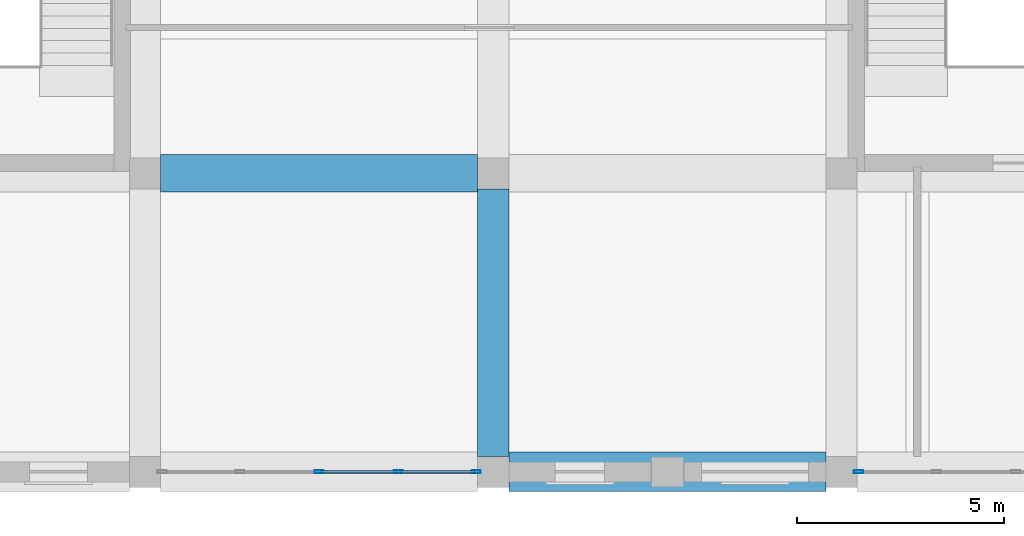
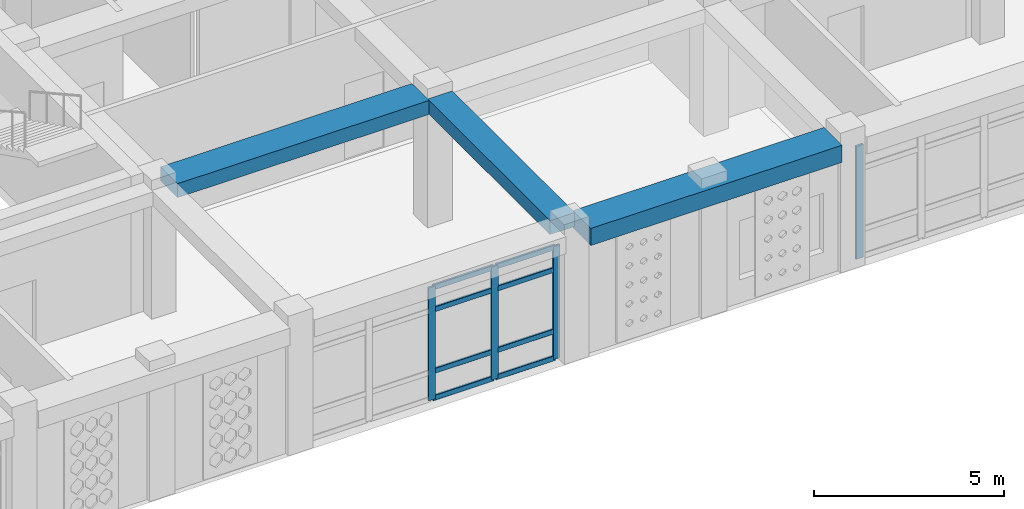
# One storey, part 30 of 121: 12 members, 3 beams, 2 elements without a shape of their own.
"""IFC4 building model written with IfcOpenShell, lengths in metres."""

from ifc_helpers import new_model, si_unit, derived_unit, direction, frame, origin, origin_2d, place, context, subcontext, project, spatial, rectangle, hollow_rectangle, extrude, material, material_profile, profile_set, type_object, element, aggregate, save


model = new_model("IFC4")

# Units and contexts
model_context = context("Model", 3, precision=1e-05, world=origin(), true_north=direction((0.0, 1.0)))
body_context = subcontext(model_context, "Body", "Model", "MODEL_VIEW")
ifc_project = project(units=[si_unit("LENGTHUNIT", "METRE"), si_unit("AREAUNIT", "SQUARE_METRE"), si_unit("VOLUMEUNIT", "CUBIC_METRE"), si_unit("PLANEANGLEUNIT", "RADIAN"), si_unit("MASSUNIT", "GRAM", prefix="KILO"), derived_unit("THERMALTRANSMITTANCEUNIT", [(si_unit("POWERUNIT", "WATT"), 1), (si_unit("LENGTHUNIT", "METRE"), -2), (si_unit("THERMODYNAMICTEMPERATUREUNIT", "KELVIN"), -1)])], contexts=[model_context])

# Site, building, storey
site_placement = place(None, origin())
site = spatial("IfcSite", under=ifc_project, at=site_placement, CompositionType="ELEMENT")
building_placement = place(site_placement, origin())
building = spatial("IfcBuilding", under=site, at=building_placement, Name="Veybourne Emporium", CompositionType="ELEMENT")
storey_placement = place(building_placement, frame((0.0, 0.0, 5.39990234375)))
storey = spatial("IfcBuildingStorey", under=building, at=storey_placement, Name="L01", CompositionType="ELEMENT", Elevation=5.39990234375)

# Curtain wall, member
ifc_material_1 = material(Name="Patinated Architectural Bronze", Category="bronze")
curtain_wall_type_1 = type_object("IfcCurtainWallType", Name="CWSystem_CWS-26", PredefinedType="NOTDEFINED", material=ifc_material_1)
curtain_wall_1_placement = place(storey_placement, origin())
curtain_wall_1 = element("IfcCurtainWall", 1, at=curtain_wall_1_placement, inside=storey, type_object=curtain_wall_type_1, Name="L01 bronze glazed curtain wall CWS-26 (067)", PredefinedType="NOTDEFINED")
ifc_material_profile_1 = material_profile(ifc_material_1, hollow_rectangle(XDim=0.074951171875, YDim=0.22998046875, WallThickness=0.0048828125, InnerFilletRadius=0.007568359375, OuterFilletRadius=0.012451171875, at=origin_2d()), Name="CWM 75x230x5")
ifc_profile_set_1 = profile_set([ifc_material_profile_1], Name="Patinated Architectural Bronze")
member_type_1 = type_object("IfcMemberType", Name="CWMullion_CW-M2", PredefinedType="MULLION", material=ifc_profile_set_1)
member_1_placement = place(storey_placement, frame((126.41259765625, 0.0, 0.0), z_axis=(0.0, 0.0, 1.0), x_axis=(0.0, -1.0, 0.0)))
member_1 = element("IfcMember", 2, at=member_1_placement, type_object=member_type_1, Name="CWS-26 mullion 5", PredefinedType="MULLION", context=body_context, shape_type="SweptSolid", body=[
    extrude(hollow_rectangle(XDim=0.074951171875, YDim=0.22998046875, WallThickness=0.0048828125, InnerFilletRadius=0.007568359375, OuterFilletRadius=0.012451171875, at=origin_2d()), origin(), (0.0, 0.0, 1.0), 3.630126953125),
])
aggregate(curtain_wall_1, [member_1])

# Curtain wall, members
curtain_wall_type_2 = type_object("IfcCurtainWallType", Name="CWSystem_CWS-24", PredefinedType="NOTDEFINED", material=ifc_material_1)
curtain_wall_2_placement = place(storey_placement, origin())
curtain_wall_2 = element("IfcCurtainWall", 3, at=curtain_wall_2_placement, inside=storey, type_object=curtain_wall_type_2, Name="L01 bronze glazed curtain wall CWS-24 (063)", PredefinedType="NOTDEFINED")
ifc_material_profile_2 = material_profile(ifc_material_1, hollow_rectangle(XDim=0.070068359375, YDim=0.219970703125, WallThickness=0.0048828125, InnerFilletRadius=0.007568359375, OuterFilletRadius=0.012451171875, at=origin_2d()), Name="CWM 70x220x5")
ifc_profile_set_2 = profile_set([ifc_material_profile_2], Name="Patinated Architectural Bronze")
member_type_2 = type_object("IfcMemberType", Name="CWMullion_CW-M4", PredefinedType="MULLION", material=ifc_profile_set_2)
member_2_placement = place(storey_placement, frame((117.18994140625, 0.0, 0.0), z_axis=(0.0, 0.0, 1.0), x_axis=(0.0, -1.0, 0.0)))
member_2 = element("IfcMember", 4, at=member_2_placement, type_object=member_type_2, Name="CWS-24 mullion 1", PredefinedType="MULLION", context=body_context, shape_type="SweptSolid", body=[
    extrude(hollow_rectangle(XDim=0.070068359375, YDim=0.219970703125, WallThickness=0.0048828125, InnerFilletRadius=0.007568359375, OuterFilletRadius=0.012451171875, at=origin_2d()), origin(), (0.0, 0.0, 1.0), 3.630126953125),
])
member_3_placement = place(storey_placement, frame((115.3125, 0.0, 0.0), z_axis=(0.0, 0.0, 1.0), x_axis=(0.0, -1.0, 0.0)))
member_3 = element("IfcMember", 5, at=member_3_placement, type_object=member_type_2, Name="CWS-24 mullion 2", PredefinedType="MULLION", context=body_context, shape_type="SweptSolid", body=[
    extrude(hollow_rectangle(XDim=0.070068359375, YDim=0.219970703125, WallThickness=0.0048828125, InnerFilletRadius=0.007568359375, OuterFilletRadius=0.012451171875, at=origin_2d()), origin(), (0.0, 0.0, 1.0), 3.630126953125),
])
member_4_placement = place(storey_placement, frame((113.39990234375, 0.0, 0.0), z_axis=(0.0, 0.0, 1.0), x_axis=(0.0, -1.0, 0.0)))
member_4 = element("IfcMember", 6, at=member_4_placement, type_object=member_type_2, Name="CWS-24 mullion 3", PredefinedType="MULLION", context=body_context, shape_type="SweptSolid", body=[
    extrude(hollow_rectangle(XDim=0.070068359375, YDim=0.219970703125, WallThickness=0.0048828125, InnerFilletRadius=0.007568359375, OuterFilletRadius=0.012451171875, at=origin_2d()), origin(), (0.0, 0.0, 1.0), 3.630126953125),
])
ifc_material_profile_3 = material_profile(ifc_material_1, hollow_rectangle(XDim=0.070068359375, YDim=0.169921875, WallThickness=0.0048828125, InnerFilletRadius=0.007568359375, OuterFilletRadius=0.012451171875, at=origin_2d()), Name="CWT 70x170x5")
ifc_profile_set_3 = profile_set([ifc_material_profile_3], Name="Patinated Architectural Bronze")
member_type_3 = type_object("IfcMemberType", Name="CWTransom_CW-T4", PredefinedType="NOTDEFINED", material=ifc_profile_set_3)
member_5_placement = place(storey_placement, frame((117.155029296875, 0.0, 0.03515625), z_axis=(-1.0, 0.0, 0.0), x_axis=(0.0, -1.0, 0.0)))
member_5 = element("IfcMember", 7, at=member_5_placement, type_object=member_type_3, Name="CWS-24 transom 1.1", ObjectType="TRANSOM", PredefinedType="USERDEFINED", context=body_context, shape_type="SweptSolid", body=[
    extrude(hollow_rectangle(XDim=0.070068359375, YDim=0.169921875, WallThickness=0.0048828125, InnerFilletRadius=0.007568359375, OuterFilletRadius=0.012451171875, at=origin_2d()), origin(), (0.0, 0.0, 1.0), 1.8076171875),
])
member_6_placement = place(storey_placement, frame((117.155029296875, 0.0, 0.900146484375), z_axis=(-1.0, 0.0, 0.0), x_axis=(0.0, -1.0, 0.0)))
member_6 = element("IfcMember", 8, at=member_6_placement, type_object=member_type_3, Name="CWS-24 transom 1.2", ObjectType="TRANSOM", PredefinedType="USERDEFINED", context=body_context, shape_type="SweptSolid", body=[
    extrude(hollow_rectangle(XDim=0.070068359375, YDim=0.169921875, WallThickness=0.0048828125, InnerFilletRadius=0.007568359375, OuterFilletRadius=0.012451171875, at=origin_2d()), origin(), (0.0, 0.0, 1.0), 1.8076171875),
])
member_7_placement = place(storey_placement, frame((117.155029296875, 0.0, 2.880126953125), z_axis=(-1.0, 0.0, 0.0), x_axis=(0.0, -1.0, 0.0)))
member_7 = element("IfcMember", 9, at=member_7_placement, type_object=member_type_3, Name="CWS-24 transom 1.3", ObjectType="TRANSOM", PredefinedType="USERDEFINED", context=body_context, shape_type="SweptSolid", body=[
    extrude(hollow_rectangle(XDim=0.070068359375, YDim=0.169921875, WallThickness=0.0048828125, InnerFilletRadius=0.007568359375, OuterFilletRadius=0.012451171875, at=origin_2d()), origin(), (0.0, 0.0, 1.0), 1.8076171875),
])
member_8_placement = place(storey_placement, frame((117.155029296875, 0.0, 3.59521484375), z_axis=(-1.0, 0.0, 0.0), x_axis=(0.0, -1.0, 0.0)))
member_8 = element("IfcMember", 10, at=member_8_placement, type_object=member_type_3, Name="CWS-24 transom 1.4", ObjectType="TRANSOM", PredefinedType="USERDEFINED", context=body_context, shape_type="SweptSolid", body=[
    extrude(hollow_rectangle(XDim=0.070068359375, YDim=0.169921875, WallThickness=0.0048828125, InnerFilletRadius=0.007568359375, OuterFilletRadius=0.012451171875, at=origin_2d()), origin(), (0.0, 0.0, 1.0), 1.8076171875),
])
member_9_placement = place(storey_placement, frame((115.277587890625, 0.0, 0.03515625), z_axis=(-1.0, 0.0, 0.0), x_axis=(0.0, -1.0, 0.0)))
member_9 = element("IfcMember", 11, at=member_9_placement, type_object=member_type_3, Name="CWS-24 transom 2.1", ObjectType="TRANSOM", PredefinedType="USERDEFINED", context=body_context, shape_type="SweptSolid", body=[
    extrude(hollow_rectangle(XDim=0.070068359375, YDim=0.169921875, WallThickness=0.0048828125, InnerFilletRadius=0.007568359375, OuterFilletRadius=0.012451171875, at=origin_2d()), origin(), (0.0, 0.0, 1.0), 1.842529296875),
])
member_10_placement = place(storey_placement, frame((115.277587890625, 0.0, 0.900146484375), z_axis=(-1.0, 0.0, 0.0), x_axis=(0.0, -1.0, 0.0)))
member_10 = element("IfcMember", 12, at=member_10_placement, type_object=member_type_3, Name="CWS-24 transom 2.2", ObjectType="TRANSOM", PredefinedType="USERDEFINED", context=body_context, shape_type="SweptSolid", body=[
    extrude(hollow_rectangle(XDim=0.070068359375, YDim=0.169921875, WallThickness=0.0048828125, InnerFilletRadius=0.007568359375, OuterFilletRadius=0.012451171875, at=origin_2d()), origin(), (0.0, 0.0, 1.0), 1.842529296875),
])
member_11_placement = place(storey_placement, frame((115.277587890625, 0.0, 2.880126953125), z_axis=(-1.0, 0.0, 0.0), x_axis=(0.0, -1.0, 0.0)))
member_11 = element("IfcMember", 13, at=member_11_placement, type_object=member_type_3, Name="CWS-24 transom 2.3", ObjectType="TRANSOM", PredefinedType="USERDEFINED", context=body_context, shape_type="SweptSolid", body=[
    extrude(hollow_rectangle(XDim=0.070068359375, YDim=0.169921875, WallThickness=0.0048828125, InnerFilletRadius=0.007568359375, OuterFilletRadius=0.012451171875, at=origin_2d()), origin(), (0.0, 0.0, 1.0), 1.842529296875),
])
member_12_placement = place(storey_placement, frame((115.277587890625, 0.0, 3.59521484375), z_axis=(-1.0, 0.0, 0.0), x_axis=(0.0, -1.0, 0.0)))
member_12 = element("IfcMember", 14, at=member_12_placement, type_object=member_type_3, Name="CWS-24 transom 2.4", ObjectType="TRANSOM", PredefinedType="USERDEFINED", context=body_context, shape_type="SweptSolid", body=[
    extrude(hollow_rectangle(XDim=0.070068359375, YDim=0.169921875, WallThickness=0.0048828125, InnerFilletRadius=0.007568359375, OuterFilletRadius=0.012451171875, at=origin_2d()), origin(), (0.0, 0.0, 1.0), 1.842529296875),
])
aggregate(curtain_wall_2, [member_2, member_3, member_4, member_5, member_6, member_7, member_8, member_9, member_10, member_11, member_12])

# Beams
ifc_material_2 = material(Name="Concrete C32/40", Category="concrete")
ifc_material_profile_4 = material_profile(ifc_material_2, rectangle(XDim=0.89990234375, YDim=0.449951171875, at=origin_2d()), Name="RC 900x450")
ifc_profile_set_4 = profile_set([ifc_material_profile_4], Name="Concrete C32/40")
beam_type_1 = type_object("IfcBeamType", Name="RCBeam_BB-03", PredefinedType="BEAM", material=ifc_profile_set_4)
beam_1_placement = place(storey_placement, frame((109.574951171875, 7.199951171875, 3.955078125), z_axis=(1.0, 0.0, 0.0), x_axis=(0.0, 1.0, 0.0)))
element("IfcBeam", 15, at=beam_1_placement, inside=storey, type_object=beam_type_1, Name="L01 X-grid beam BB-03 (13,1)", PredefinedType="BEAM", context=body_context, shape_type="SweptSolid", body=[
    extrude(rectangle(XDim=0.89990234375, YDim=0.449951171875, at=origin_2d()), origin(), (0.0, 0.0, 1.0), 7.650146484375),
])
ifc_material_profile_5 = material_profile(ifc_material_2, rectangle(XDim=0.75, YDim=0.449951171875, at=origin_2d()), Name="RC 750x450")
ifc_profile_set_5 = profile_set([ifc_material_profile_5], Name="Concrete C32/40")
beam_type_2 = type_object("IfcBeamType", Name="RCBeam_BB-04", PredefinedType="BEAM", material=ifc_profile_set_5)
beam_2_placement = place(storey_placement, frame((117.60009765625, 0.375, 3.955078125), z_axis=(0.0, 1.0, 0.0), x_axis=(-1.0, 0.0, 0.0)))
element("IfcBeam", 16, at=beam_2_placement, inside=storey, type_object=beam_type_2, Name="L01 Y-grid beam BB-04 (14,0)", PredefinedType="BEAM", context=body_context, shape_type="SweptSolid", body=[
    extrude(rectangle(XDim=0.75, YDim=0.449951171875, at=origin_2d()), origin(), (0.0, 0.0, 1.0), 6.449951171875),
])
ifc_material_profile_6 = material_profile(ifc_material_2, rectangle(XDim=0.949951171875, YDim=0.550048828125, at=origin_2d()), Name="RC 950x550")
ifc_profile_set_6 = profile_set([ifc_material_profile_6], Name="Concrete C32/40")
beam_type_3 = type_object("IfcBeamType", Name="RCBeam_EB-01", PredefinedType="SPANDREL", material=ifc_profile_set_6)
beam_3_placement = place(storey_placement, frame((117.97509765625, 0.0, 3.905029296875), z_axis=(1.0, 0.0, 0.0), x_axis=(0.0, 1.0, 0.0)))
element("IfcBeam", 17, at=beam_3_placement, inside=storey, type_object=beam_type_3, Name="L01 X-grid beam EB-01 (14,0)", PredefinedType="SPANDREL", context=body_context, shape_type="SweptSolid", body=[
    extrude(rectangle(XDim=0.949951171875, YDim=0.550048828125, at=origin_2d()), origin(), (0.0, 0.0, 1.0), 7.64990234375),
])

save(model, "model.ifc")
